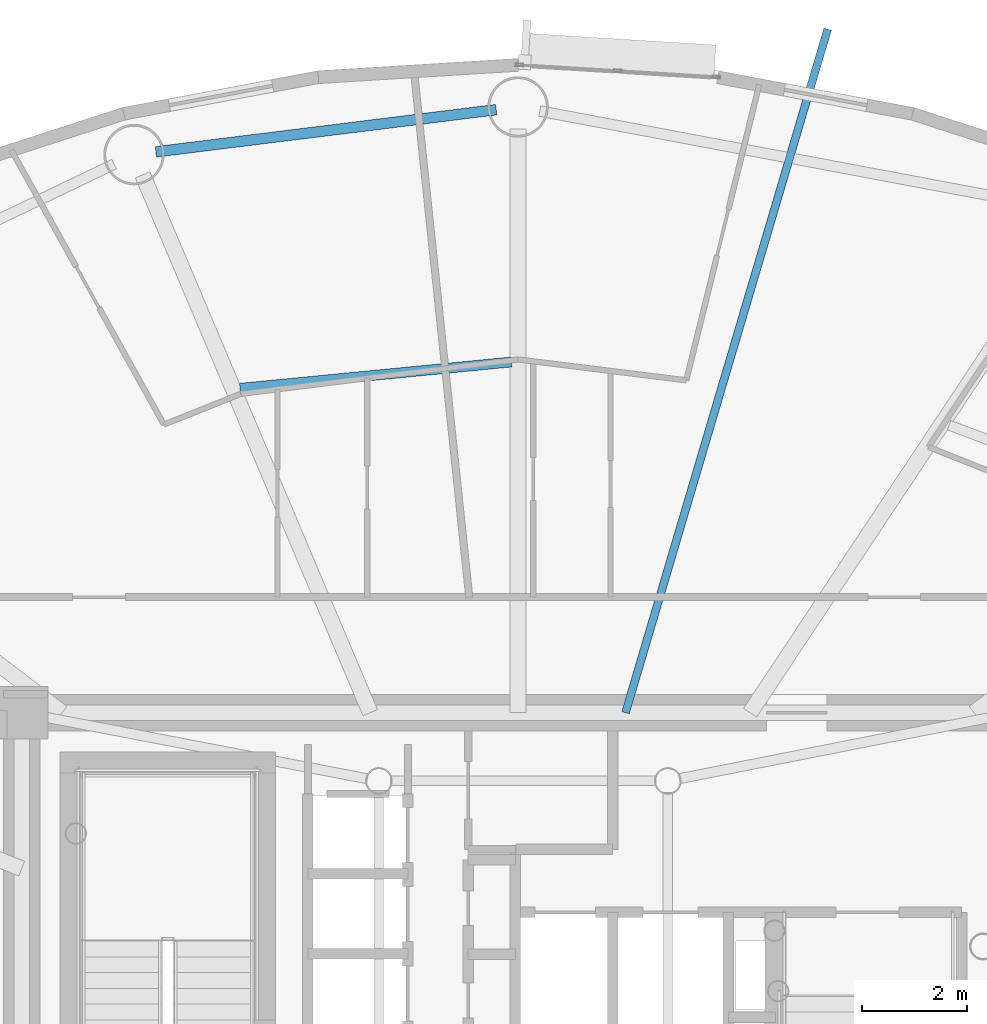
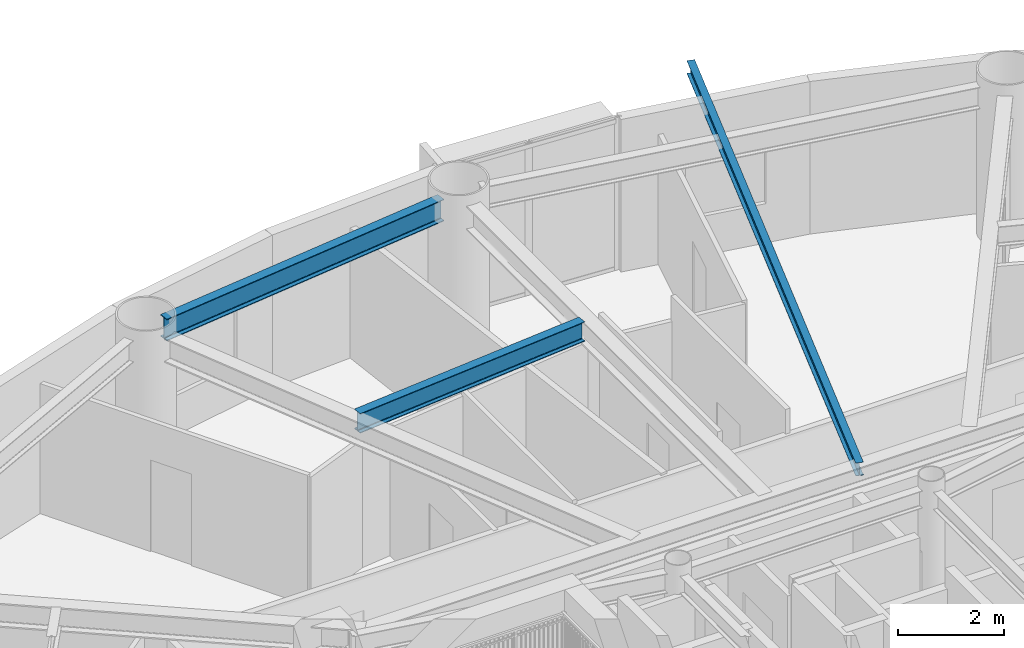
# One storey, part 4 of 19: 3 beams.
"""IFC4 building model written with IfcOpenShell, lengths in metres."""

from ifc_helpers import new_model, si_unit, direction, frame, origin, origin_2d, place, context, subcontext, project, spatial, i_section, extrude, material, material_profile, profile_set, type_object, element, save


model = new_model("IFC4")

# Units and contexts
model_context = context("Model", 3, precision=1e-05, world=origin(), true_north=direction((0.0, 1.0)))
body_context = subcontext(model_context, "Body", "Model", "MODEL_VIEW")
ifc_project = project(units=[si_unit("LENGTHUNIT", "METRE"), si_unit("AREAUNIT", "SQUARE_METRE"), si_unit("VOLUMEUNIT", "CUBIC_METRE"), si_unit("PLANEANGLEUNIT", "RADIAN"), si_unit("MASSUNIT", "GRAM", prefix="KILO")], contexts=[model_context])

# Site, building, storey
site_placement = place(None, origin())
site = spatial("IfcSite", under=ifc_project, at=site_placement, CompositionType="ELEMENT")
building_placement = place(site_placement, origin())
building = spatial("IfcBuilding", under=site, at=building_placement, Name="Linh Dai School and Residence Tower", CompositionType="ELEMENT")
storey_placement = place(building_placement, frame((0.0, 0.0, 236.550048828125)))
storey = spatial("IfcBuildingStorey", under=building, at=storey_placement, Name="L58", CompositionType="ELEMENT", Elevation=236.550048828125)

# Beams
ifc_material = material(Name="Structural Steel S355JR", Category="steel")
ifc_material_profile_1 = material_profile(ifc_material, i_section(OverallWidth=0.14990234375, OverallDepth=0.300048828125, WebThickness=0.007080078125, FlangeThickness=0.0107421875, at=origin_2d()), Name="IPE 300")
ifc_profile_set_1 = profile_set([ifc_material_profile_1], Name="Structural Steel S355JR")
beam_type_1 = type_object("IfcBeamType", Name="BM-BALC-CANT", PredefinedType="BEAM", material=ifc_profile_set_1)
beam_1_placement = place(storey_placement, frame((38.044189453125, 33.64990234375, 3.349853515625), z_axis=(0.283664332065, 0.958923639668, 0.0), x_axis=(-0.958923639668, 0.283664332065, 0.0)))
element("IfcBeam", 1, at=beam_1_placement, inside=storey, type_object=beam_type_1, Name="L59 Balcony Continuous Cantilever Beam 09", PredefinedType="BEAM", context=body_context, shape_type="SweptSolid", body=[
    extrude(i_section(OverallWidth=0.14990234375, OverallDepth=0.300048828125, WebThickness=0.007080078125, FlangeThickness=0.0107421875, at=origin_2d()), origin(), (0.0, 0.0, 1.0), 13.567626953125),
])
ifc_material_profile_2 = material_profile(ifc_material, i_section(OverallWidth=0.199951171875, OverallDepth=0.5, WebThickness=0.01025390625, FlangeThickness=0.01611328125, FilletRadius=0.02099609375, at=origin_2d()), Name="IPE 500")
ifc_profile_set_2 = profile_set([ifc_material_profile_2], Name="Structural Steel S355JR")
beam_type_2 = type_object("IfcBeamType", Name="BM-RB50", PredefinedType="BEAM", material=ifc_profile_set_2)
beam_2_placement = place(storey_placement, frame((35.583251953125, 45.12841796875, 3.25), z_axis=(-0.992401656104, -0.123040452539, 0.0), x_axis=(0.123040452539, -0.992401656104, 0.0)))
element("IfcBeam", 2, at=beam_2_placement, inside=storey, type_object=beam_type_2, Name="L58 Perimeter Elliptical Ring Beam 05", PredefinedType="BEAM", context=body_context, shape_type="SweptSolid", body=[
    extrude(i_section(OverallWidth=0.199951171875, OverallDepth=0.5, WebThickness=0.01025390625, FlangeThickness=0.01611328125, FilletRadius=0.02099609375, at=origin_2d()), origin(), (0.0, 0.0, 1.0), 6.528076171875),
])
ifc_material_profile_3 = material_profile(ifc_material, i_section(OverallWidth=0.18994140625, OverallDepth=0.449951171875, WebThickness=0.009521484375, FlangeThickness=0.0146484375, FilletRadius=0.02099609375, at=origin_2d()), Name="IPE 450")
ifc_profile_set_3 = profile_set([ifc_material_profile_3], Name="Structural Steel S355JR")
beam_type_3 = type_object("IfcBeamType", Name="BM-SB45", PredefinedType="BEAM", material=ifc_profile_set_3)
beam_3_placement = place(storey_placement, frame((35.87060546875, 40.324951171875, 3.27490234375), z_axis=(-0.995332680487, -0.096503135467, 0.0), x_axis=(0.096503135467, -0.995332680487, 0.0)))
element("IfcBeam", 3, at=beam_3_placement, inside=storey, type_object=beam_type_3, Name="L58 Secondary Circumferential Floor Beam 03", PredefinedType="BEAM", context=body_context, shape_type="SweptSolid", body=[
    extrude(i_section(OverallWidth=0.18994140625, OverallDepth=0.449951171875, WebThickness=0.009521484375, FlangeThickness=0.0146484375, FilletRadius=0.02099609375, at=origin_2d()), origin(), (0.0, 0.0, 1.0), 5.188720703125),
])

save(model, "model.ifc")
